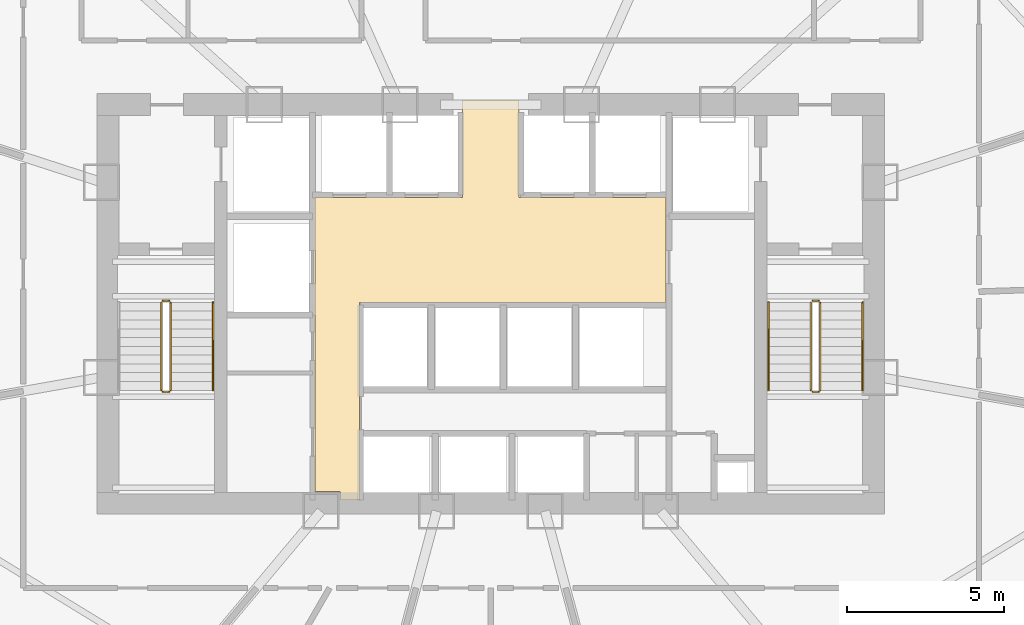
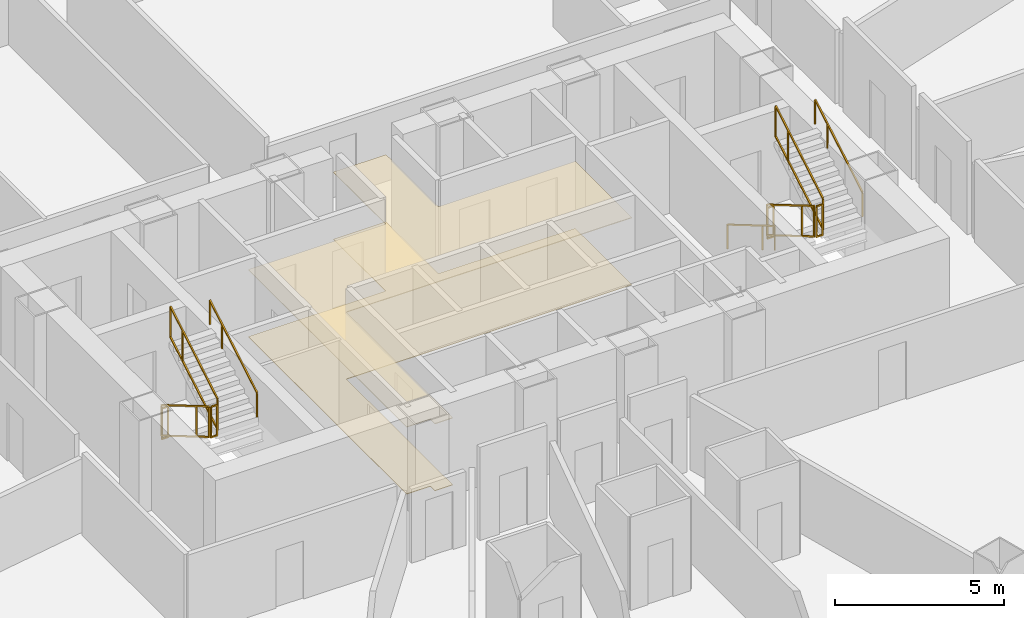
# One storey, part 39 of 41: 11 railings, 2 coverings.
"""IFC4 building model written with IfcOpenShell, lengths in metres."""

from ifc_helpers import new_model, si_unit, direction, frame, origin, origin_2d, place, context, subcontext, project, spatial, polyline, rectangle, outline, extrude, material, layer, layer_set, type_object, element, save


model = new_model("IFC4")

# Units and contexts
model_context = context("Model", 3, precision=1e-05, world=origin(), true_north=direction((0.0, 1.0)))
body_context = subcontext(model_context, "Body", "Model", "MODEL_VIEW")
ifc_project = project(units=[si_unit("LENGTHUNIT", "METRE"), si_unit("AREAUNIT", "SQUARE_METRE"), si_unit("VOLUMEUNIT", "CUBIC_METRE"), si_unit("PLANEANGLEUNIT", "RADIAN"), si_unit("MASSUNIT", "GRAM", prefix="KILO"), si_unit("THERMODYNAMICTEMPERATUREUNIT", "KELVIN"), si_unit("POWERUNIT", "WATT")], contexts=[model_context])

# Site, building, storey
site_placement = place(None, origin())
site = spatial("IfcSite", under=ifc_project, at=site_placement, CompositionType="ELEMENT")
building_placement = place(site_placement, origin())
building = spatial("IfcBuilding", under=site, at=building_placement, Name="Yunzhuo Pagoda Commons", CompositionType="ELEMENT")
storey_placement = place(building_placement, frame((0.0, 0.0, 63.070068359375)))
storey = spatial("IfcBuildingStorey", under=building, at=storey_placement, Name="L16", CompositionType="ELEMENT", Elevation=63.070068359375)

# Coverings
ifc_material_1 = material(Name="Mineral fibre acoustic ceiling board")
ifc_layer_1 = layer(ifc_material_1, 0.02490234375)
ifc_layer_set_1 = layer_set([ifc_layer_1], Name="Mineral fibre acoustic ceiling board")
covering_type_1 = type_object("IfcCoveringType", Name="COV-CL1 Ceiling 25", PredefinedType="CEILING", material=ifc_layer_set_1)
covering_1_placement = place(storey_placement, frame((0.0, 0.0, 2.419921875)))
element("IfcCovering", 1, at=covering_1_placement, inside=storey, type_object=covering_type_1, Name="L16 lift lobby acoustic ceiling", PredefinedType="CEILING", context=body_context, shape_type="SweptSolid", body=[
    extrude(outline(polyline([(43.207763671875, 27.85009765625), (43.201904296875, 27.864013671875), (43.187744140625, 27.8701171875), (42.39990234375, 27.8701171875), (42.39990234375, 33.89990234375), (42.39990234375, 37.25), (47.10009765625, 37.25), (47.10009765625, 40.35009765625), (48.89990234375, 40.35009765625), (48.89990234375, 37.25), (53.580078125, 37.25), (53.580078125, 33.89990234375), (43.820068359375, 33.89990234375), (43.820068359375, 27.60009765625), (43.207763671875, 27.60009765625), (43.207763671875, 27.85009765625)])), origin(), (0.0, 0.0, 1.0), 0.02490234375),
])
ifc_material_2 = material(Name="Porcelain ceramic floor tile")
ifc_layer_2 = layer(ifc_material_2, 0.02001953125)
ifc_layer_set_2 = layer_set([ifc_layer_2], Name="Porcelain ceramic floor tile")
covering_type_2 = type_object("IfcCoveringType", Name="COV-FL1 Flooring 20", PredefinedType="FLOORING", material=ifc_layer_set_2)
covering_2_placement = place(storey_placement, origin())
element("IfcCovering", 2, at=covering_2_placement, inside=storey, type_object=covering_type_2, Name="L16 lift lobby flooring", PredefinedType="FLOORING", context=body_context, shape_type="SweptSolid", body=[
    extrude(outline(polyline([(43.207763671875, 27.85009765625), (43.201904296875, 27.864013671875), (43.187744140625, 27.8701171875), (42.39990234375, 27.8701171875), (42.39990234375, 33.89990234375), (42.39990234375, 37.25), (47.10009765625, 37.25), (47.10009765625, 40.35009765625), (48.89990234375, 40.35009765625), (48.89990234375, 37.25), (53.580078125, 37.25), (53.580078125, 33.89990234375), (43.820068359375, 33.89990234375), (43.820068359375, 27.60009765625), (43.207763671875, 27.60009765625), (43.207763671875, 27.85009765625)])), origin(), (0.0, 0.0, 1.0), 0.02001953125),
])

# Railings
ifc_material_3 = material(Name="Anodized aluminium 6063-T6", Category="aluminium")
railing_type_1 = type_object("IfcRailingType", Name="GR-ST1 Stair Well Guardrail 1150", PredefinedType="GUARDRAIL", material=ifc_material_3)
railing_1_placement = place(storey_placement, frame((37.5, 33.89990234375, 0.1650390625)))
element("IfcRailing", 3, at=railing_1_placement, inside=storey, type_object=railing_type_1, Name="L16 ST1 stair guard 1", PredefinedType="GUARDRAIL", context=body_context, shape_type="SweptSolid", body=[
    extrude(rectangle(XDim=0.048095703125, YDim=0.048095703125, at=origin_2d()), frame((0.0, 0.0, 1.1259765625), z_axis=(0.0, -0.861536114422, 0.507696290658), x_axis=(1.0, 0.0, 0.0)), (0.0, 0.0, 1.0), 3.249755859375),
    extrude(rectangle(XDim=0.048095703125, YDim=0.048095703125, at=origin_2d()), frame((0.0, 0.0, 0.02392578125), z_axis=(0.0, -0.861536114422, 0.507696290658), x_axis=(1.0, 0.0, 0.0)), (0.0, 0.0, 1.0), 3.249755859375),
    extrude(rectangle(XDim=0.0419921875, YDim=0.0419921875, at=origin_2d()), origin(), (0.0, 0.0, 1.0), 1.101806640625),
    extrude(rectangle(XDim=0.0419921875, YDim=0.0419921875, at=origin_2d()), frame((0.0, -2.067626953125, 1.218505859375)), (0.0, 0.0, 1.0), 1.101806640625),
    extrude(rectangle(XDim=0.0419921875, YDim=0.0419921875, at=origin_2d()), frame((0.0, -2.7998046875, 1.64990234375)), (0.0, 0.0, 1.0), 1.101806640625),
])
railing_2_placement = place(storey_placement, frame((37.550048828125, 31.050048828125, 1.81494140625)))
element("IfcRailing", 4, at=railing_2_placement, inside=storey, type_object=railing_type_1, Name="L16 ST1 stair guard 2", PredefinedType="GUARDRAIL", context=body_context, shape_type="SweptSolid", body=[
    extrude(rectangle(XDim=0.048095703125, YDim=0.048095703125, at=origin_2d()), frame((0.0, 0.0, 1.1259765625), z_axis=(1.0, 0.0, 0.0), x_axis=(0.0, 1.0, 0.0)), (0.0, 0.0, 1.0), 0.199951171875),
    extrude(rectangle(XDim=0.048095703125, YDim=0.048095703125, at=origin_2d()), frame((0.0, 0.0, 0.02392578125), z_axis=(1.0, 0.0, 0.0), x_axis=(0.0, 1.0, 0.0)), (0.0, 0.0, 1.0), 0.199951171875),
    extrude(rectangle(XDim=0.0419921875, YDim=0.0419921875, at=origin_2d()), origin(), (0.0, 0.0, 1.0), 1.101806640625),
    extrude(rectangle(XDim=0.0419921875, YDim=0.0419921875, at=origin_2d()), frame((0.199951171875, 0.0, 0.0)), (0.0, 0.0, 1.0), 1.101806640625),
])
railing_3_placement = place(storey_placement, frame((37.800048828125, 31.10009765625, 1.97998046875)))
element("IfcRailing", 5, at=railing_3_placement, inside=storey, type_object=railing_type_1, Name="L16 ST1 stair guard 3", PredefinedType="GUARDRAIL", context=body_context, shape_type="SweptSolid", body=[
    extrude(rectangle(XDim=0.048095703125, YDim=0.048095703125, at=origin_2d()), frame((0.0, 0.0, 1.1259765625), z_axis=(0.0, 0.861536114422, 0.507696290658), x_axis=(-1.0, 0.0, 0.0)), (0.0, 0.0, 1.0), 3.249755859375),
    extrude(rectangle(XDim=0.048095703125, YDim=0.048095703125, at=origin_2d()), frame((0.0, 0.0, 0.02392578125), z_axis=(0.0, 0.861536114422, 0.507696290658), x_axis=(-1.0, 0.0, 0.0)), (0.0, 0.0, 1.0), 3.249755859375),
    extrude(rectangle(XDim=0.0419921875, YDim=0.0419921875, at=origin_2d()), origin(), (0.0, 0.0, 1.0), 1.101806640625),
    extrude(rectangle(XDim=0.0419921875, YDim=0.0419921875, at=origin_2d()), frame((0.0, 2.067626953125, 1.218505859375)), (0.0, 0.0, 1.0), 1.101806640625),
    extrude(rectangle(XDim=0.0419921875, YDim=0.0419921875, at=origin_2d()), frame((0.0, 2.7998046875, 1.64990234375)), (0.0, 0.0, 1.0), 1.101806640625),
])
railing_4_placement = place(storey_placement, frame((37.550048828125, 33.949951171875, 0.0)))
element("IfcRailing", 6, at=railing_4_placement, inside=storey, type_object=railing_type_1, Name="L16 ST1 stair guard 4", PredefinedType="GUARDRAIL", context=body_context, shape_type="SweptSolid", body=[
    extrude(rectangle(XDim=0.048095703125, YDim=0.048095703125, at=origin_2d()), frame((0.0, 0.0, 1.1259765625), z_axis=(1.0, 0.0, 0.0), x_axis=(0.0, 1.0, 0.0)), (0.0, 0.0, 1.0), 0.199951171875),
    extrude(rectangle(XDim=0.048095703125, YDim=0.048095703125, at=origin_2d()), frame((0.0, 0.0, 0.02392578125), z_axis=(1.0, 0.0, 0.0), x_axis=(0.0, 1.0, 0.0)), (0.0, 0.0, 1.0), 0.199951171875),
    extrude(rectangle(XDim=0.0419921875, YDim=0.0419921875, at=origin_2d()), origin(), (0.0, 0.0, 1.0), 1.101806640625),
    extrude(rectangle(XDim=0.0419921875, YDim=0.0419921875, at=origin_2d()), frame((0.199951171875, 0.0, 0.0)), (0.0, 0.0, 1.0), 1.101806640625),
])
railing_type_2 = type_object("IfcRailingType", Name="GR-ST2 Stair Well Guardrail 1160", PredefinedType="GUARDRAIL", material=ifc_material_3)
railing_5_placement = place(storey_placement, frame((58.199951171875, 33.89990234375, 0.1650390625)))
element("IfcRailing", 7, at=railing_5_placement, inside=storey, type_object=railing_type_2, Name="L16 ST2 stair guard 1", PredefinedType="GUARDRAIL", context=body_context, shape_type="SweptSolid", body=[
    extrude(rectangle(XDim=0.048095703125, YDim=0.048095703125, at=origin_2d()), frame((0.0, 0.0, 1.1259765625), z_axis=(0.0, -0.861536114422, 0.507696290658), x_axis=(1.0, 0.0, 0.0)), (0.0, 0.0, 1.0), 3.249755859375),
    extrude(rectangle(XDim=0.048095703125, YDim=0.048095703125, at=origin_2d()), frame((0.0, 0.0, 0.02392578125), z_axis=(0.0, -0.861536114422, 0.507696290658), x_axis=(1.0, 0.0, 0.0)), (0.0, 0.0, 1.0), 3.249755859375),
    extrude(rectangle(XDim=0.0419921875, YDim=0.0419921875, at=origin_2d()), origin(), (0.0, 0.0, 1.0), 1.101806640625),
    extrude(rectangle(XDim=0.0419921875, YDim=0.0419921875, at=origin_2d()), frame((0.0, -2.067626953125, 1.218505859375)), (0.0, 0.0, 1.0), 1.101806640625),
    extrude(rectangle(XDim=0.0419921875, YDim=0.0419921875, at=origin_2d()), frame((0.0, -2.7998046875, 1.64990234375)), (0.0, 0.0, 1.0), 1.101806640625),
])
railing_6_placement = place(storey_placement, frame((58.25, 31.050048828125, 1.81494140625)))
element("IfcRailing", 8, at=railing_6_placement, inside=storey, type_object=railing_type_2, Name="L16 ST2 stair guard 2", PredefinedType="GUARDRAIL", context=body_context, shape_type="SweptSolid", body=[
    extrude(rectangle(XDim=0.048095703125, YDim=0.048095703125, at=origin_2d()), frame((0.0, 0.0, 1.1259765625), z_axis=(1.0, 0.0, 0.0), x_axis=(0.0, 1.0, 0.0)), (0.0, 0.0, 1.0), 0.199951171875),
    extrude(rectangle(XDim=0.048095703125, YDim=0.048095703125, at=origin_2d()), frame((0.0, 0.0, 0.02392578125), z_axis=(1.0, 0.0, 0.0), x_axis=(0.0, 1.0, 0.0)), (0.0, 0.0, 1.0), 0.199951171875),
    extrude(rectangle(XDim=0.0419921875, YDim=0.0419921875, at=origin_2d()), origin(), (0.0, 0.0, 1.0), 1.101806640625),
    extrude(rectangle(XDim=0.0419921875, YDim=0.0419921875, at=origin_2d()), frame((0.199951171875, 0.0, 0.0)), (0.0, 0.0, 1.0), 1.101806640625),
])
railing_7_placement = place(storey_placement, frame((58.5, 31.10009765625, 1.97998046875)))
element("IfcRailing", 9, at=railing_7_placement, inside=storey, type_object=railing_type_2, Name="L16 ST2 stair guard 3", PredefinedType="GUARDRAIL", context=body_context, shape_type="SweptSolid", body=[
    extrude(rectangle(XDim=0.048095703125, YDim=0.048095703125, at=origin_2d()), frame((0.0, 0.0, 1.1259765625), z_axis=(0.0, 0.861536114422, 0.507696290658), x_axis=(-1.0, 0.0, 0.0)), (0.0, 0.0, 1.0), 3.249755859375),
    extrude(rectangle(XDim=0.048095703125, YDim=0.048095703125, at=origin_2d()), frame((0.0, 0.0, 0.02392578125), z_axis=(0.0, 0.861536114422, 0.507696290658), x_axis=(-1.0, 0.0, 0.0)), (0.0, 0.0, 1.0), 3.249755859375),
    extrude(rectangle(XDim=0.0419921875, YDim=0.0419921875, at=origin_2d()), origin(), (0.0, 0.0, 1.0), 1.101806640625),
    extrude(rectangle(XDim=0.0419921875, YDim=0.0419921875, at=origin_2d()), frame((0.0, 2.067626953125, 1.218505859375)), (0.0, 0.0, 1.0), 1.101806640625),
    extrude(rectangle(XDim=0.0419921875, YDim=0.0419921875, at=origin_2d()), frame((0.0, 2.7998046875, 1.64990234375)), (0.0, 0.0, 1.0), 1.101806640625),
])
railing_8_placement = place(storey_placement, frame((58.25, 33.949951171875, 0.0)))
element("IfcRailing", 10, at=railing_8_placement, inside=storey, type_object=railing_type_2, Name="L16 ST2 stair guard 4", PredefinedType="GUARDRAIL", context=body_context, shape_type="SweptSolid", body=[
    extrude(rectangle(XDim=0.048095703125, YDim=0.048095703125, at=origin_2d()), frame((0.0, 0.0, 1.1259765625), z_axis=(1.0, 0.0, 0.0), x_axis=(0.0, 1.0, 0.0)), (0.0, 0.0, 1.0), 0.199951171875),
    extrude(rectangle(XDim=0.048095703125, YDim=0.048095703125, at=origin_2d()), frame((0.0, 0.0, 0.02392578125), z_axis=(1.0, 0.0, 0.0), x_axis=(0.0, 1.0, 0.0)), (0.0, 0.0, 1.0), 0.199951171875),
    extrude(rectangle(XDim=0.0419921875, YDim=0.0419921875, at=origin_2d()), origin(), (0.0, 0.0, 1.0), 1.101806640625),
    extrude(rectangle(XDim=0.0419921875, YDim=0.0419921875, at=origin_2d()), frame((0.199951171875, 0.0, 0.0)), (0.0, 0.0, 1.0), 1.101806640625),
])
railing_type_3 = type_object("IfcRailingType", Name="HR-ST1 Stair Handrail 900", PredefinedType="HANDRAIL", material=ifc_material_3)
railing_9_placement = place(storey_placement, frame((39.14990234375, 31.10009765625, 1.97998046875)))
element("IfcRailing", 11, at=railing_9_placement, inside=storey, type_object=railing_type_3, Name="L16 ST1 stair handrail 2", PredefinedType="HANDRAIL", context=body_context, shape_type="SweptSolid", body=[
    extrude(rectangle(XDim=0.048095703125, YDim=0.048095703125, at=origin_2d()), frame((0.0, 0.0, 0.8759765625), z_axis=(0.0, 0.861536114422, 0.507696290658), x_axis=(-1.0, 0.0, 0.0)), (0.0, 0.0, 1.0), 3.249755859375),
    extrude(rectangle(XDim=0.0419921875, YDim=0.0419921875, at=origin_2d()), origin(), (0.0, 0.0, 1.0), 0.851806640625),
    extrude(rectangle(XDim=0.0419921875, YDim=0.0419921875, at=origin_2d()), frame((0.0, 2.067626953125, 1.218505859375)), (0.0, 0.0, 1.0), 0.851806640625),
    extrude(rectangle(XDim=0.0419921875, YDim=0.0419921875, at=origin_2d()), frame((0.0, 2.7998046875, 1.64990234375)), (0.0, 0.0, 1.0), 0.851806640625),
])
railing_type_4 = type_object("IfcRailingType", Name="HR-ST2 Stair Handrail 900", PredefinedType="HANDRAIL", material=ifc_material_3)
railing_10_placement = place(storey_placement, frame((56.85009765625, 33.89990234375, 0.1650390625)))
element("IfcRailing", 12, at=railing_10_placement, inside=storey, type_object=railing_type_4, Name="L16 ST2 stair handrail 1", PredefinedType="HANDRAIL", context=body_context, shape_type="SweptSolid", body=[
    extrude(rectangle(XDim=0.048095703125, YDim=0.048095703125, at=origin_2d()), frame((0.0, 0.0, 0.8759765625), z_axis=(0.0, -0.861536114422, 0.507696290658), x_axis=(1.0, 0.0, 0.0)), (0.0, 0.0, 1.0), 3.249755859375),
    extrude(rectangle(XDim=0.0419921875, YDim=0.0419921875, at=origin_2d()), origin(), (0.0, 0.0, 1.0), 0.851806640625),
    extrude(rectangle(XDim=0.0419921875, YDim=0.0419921875, at=origin_2d()), frame((0.0, -2.067626953125, 1.218505859375)), (0.0, 0.0, 1.0), 0.851806640625),
    extrude(rectangle(XDim=0.0419921875, YDim=0.0419921875, at=origin_2d()), frame((0.0, -2.7998046875, 1.64990234375)), (0.0, 0.0, 1.0), 0.851806640625),
])
railing_11_placement = place(storey_placement, frame((59.85009765625, 31.10009765625, 1.97998046875)))
element("IfcRailing", 13, at=railing_11_placement, inside=storey, type_object=railing_type_4, Name="L16 ST2 stair handrail 2", PredefinedType="HANDRAIL", context=body_context, shape_type="SweptSolid", body=[
    extrude(rectangle(XDim=0.048095703125, YDim=0.048095703125, at=origin_2d()), frame((0.0, 0.0, 0.8759765625), z_axis=(0.0, 0.861536114422, 0.507696290658), x_axis=(-1.0, 0.0, 0.0)), (0.0, 0.0, 1.0), 3.249755859375),
    extrude(rectangle(XDim=0.0419921875, YDim=0.0419921875, at=origin_2d()), origin(), (0.0, 0.0, 1.0), 0.851806640625),
    extrude(rectangle(XDim=0.0419921875, YDim=0.0419921875, at=origin_2d()), frame((0.0, 2.067626953125, 1.218505859375)), (0.0, 0.0, 1.0), 0.851806640625),
    extrude(rectangle(XDim=0.0419921875, YDim=0.0419921875, at=origin_2d()), frame((0.0, 2.7998046875, 1.64990234375)), (0.0, 0.0, 1.0), 0.851806640625),
])

save(model, "model.ifc")
